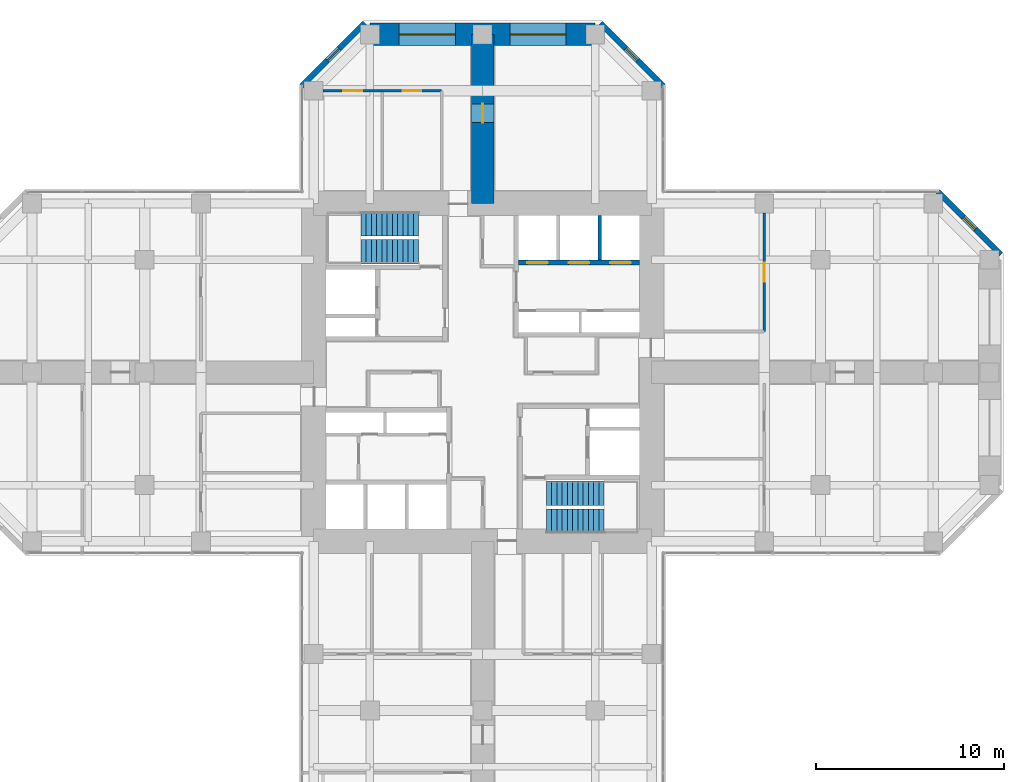
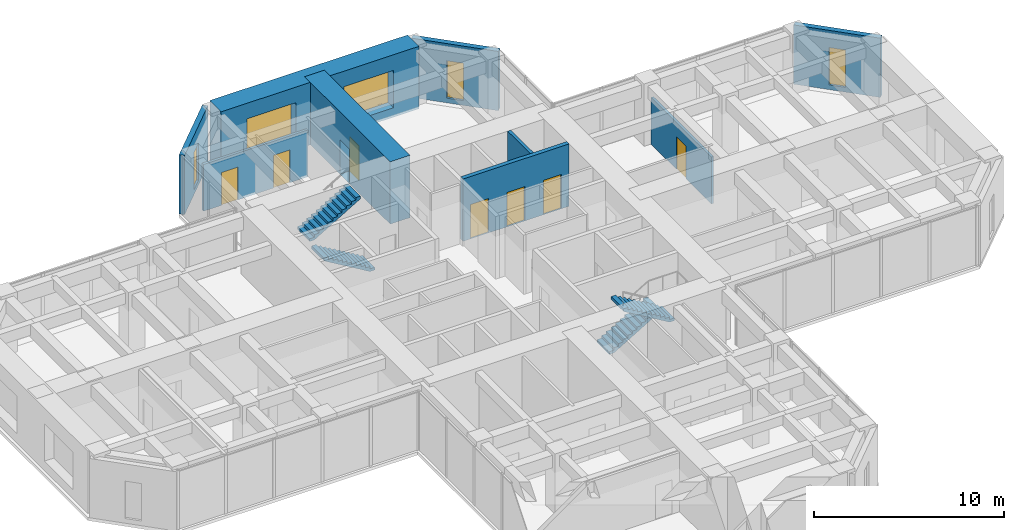
# One storey, part 11 of 12: 9 walls, 7 doors, 5 windows, 4 stair flights, 12 openings, 2 elements without a shape of their own.
"""IFC4 building model written with IfcOpenShell, lengths in metres."""

from ifc_helpers import new_model, si_unit, direction, frame, frame_2d, origin, place, context, subcontext, project, spatial, polyline, rectangle, hollow_rectangle, outline, extrude, material, layer, layer_set, constituent, constituent_set, type_object, element, fill, aggregate, save


model = new_model("IFC4")

# Units and contexts
model_context = context("Model", 3, precision=1e-05, world=origin(), true_north=direction((0.0, 1.0)))
body_context = subcontext(model_context, "Body", "Model", "MODEL_VIEW")
ifc_project = project(units=[si_unit("LENGTHUNIT", "METRE"), si_unit("AREAUNIT", "SQUARE_METRE"), si_unit("VOLUMEUNIT", "CUBIC_METRE"), si_unit("PLANEANGLEUNIT", "RADIAN"), si_unit("MASSUNIT", "GRAM", prefix="KILO")], contexts=[model_context])

# Site, building, storey
site_placement = place(None, origin())
site = spatial("IfcSite", under=ifc_project, at=site_placement, CompositionType="ELEMENT")
building_placement = place(site_placement, origin())
building = spatial("IfcBuilding", under=site, at=building_placement, Name="Torre Cruceta", CompositionType="ELEMENT")
storey_placement = place(building_placement, frame((0.0, 0.0, 136.5)))
storey = spatial("IfcBuildingStorey", under=building, at=storey_placement, Name="L33", CompositionType="ELEMENT", Elevation=136.5)

# Wall, openings, doors
ifc_material_1 = material(Name="Concrete G60 (fck 60 MPa)", Category="concrete")
ifc_layer_1 = layer(ifc_material_1, 0.25)
ifc_layer_set_1 = layer_set([ifc_layer_1], Name="Concrete G60 (fck 60 MPa)")
wall_type_1 = type_object("IfcWallType", Name="CORE INNER WALL 250 G60", PredefinedType="SHEAR", material=ifc_layer_set_1)
wall_1_placement = place(storey_placement, frame((1.925048828125, 5.85009765625, 0.0), z_axis=(0.0, 0.0, 1.0), x_axis=(1.0, 0.0, 0.0)))
wall_1 = element("IfcWall", 1, at=wall_1_placement, inside=storey, type_object=wall_type_1, Name="CW4 L33 NE-LV", PredefinedType="SHEAR", context=body_context, shape_type="SweptSolid", body=[
    extrude(rectangle(XDim=6.425048828125, YDim=0.25, at=frame_2d((3.21240234375, 0.0))), origin(), (0.0, 0.0, 1.0), 4.0),
])
opening_1_placement = place(wall_1_placement, frame((0.4541015625, 0.0, 0.0)))
opening_1 = element("IfcOpeningElement", 2, at=opening_1_placement, cuts=wall_1, Name="Opening LD1", PredefinedType="OPENING", context=body_context, shape_type="SweptSolid", body=[
    extrude(rectangle(XDim=1.10009765625, YDim=2.199951171875, at=frame_2d((0.550048828125, 1.10009765625))), frame((0.0, 0.135009765625, 0.0), z_axis=(0.0, -1.0, 0.0), x_axis=(1.0, 0.0, 0.0)), (0.0, 0.0, 1.0), 0.27001953125),
])
opening_2_placement = place(wall_1_placement, frame((2.66259765625, 0.0, 0.0)))
opening_2 = element("IfcOpeningElement", 3, at=opening_2_placement, cuts=wall_1, Name="Opening LD1", PredefinedType="OPENING", context=body_context, shape_type="SweptSolid", body=[
    extrude(rectangle(XDim=1.10009765625, YDim=2.199951171875, at=frame_2d((0.550048828125, 1.10009765625))), frame((0.0, 0.135009765625, 0.0), z_axis=(0.0, -1.0, 0.0), x_axis=(1.0, 0.0, 0.0)), (0.0, 0.0, 1.0), 0.27001953125),
])
opening_3_placement = place(wall_1_placement, frame((4.870849609375, 0.0, 0.0)))
opening_3 = element("IfcOpeningElement", 4, at=opening_3_placement, cuts=wall_1, Name="Opening LD1", PredefinedType="OPENING", context=body_context, shape_type="SweptSolid", body=[
    extrude(rectangle(XDim=1.10009765625, YDim=2.199951171875, at=frame_2d((0.550048828125, 1.10009765625))), frame((0.0, 0.135009765625, 0.0), z_axis=(0.0, -1.0, 0.0), x_axis=(1.0, 0.0, 0.0)), (0.0, 0.0, 1.0), 0.27001953125),
])
ifc_material_2 = material(Name="Stainless steel 1.4401", Category="steel")
door_type_1 = type_object("IfcDoorType", Name="LIFT LANDING DOOR 1100X2200", OperationType="DOUBLE_DOOR_SLIDING", PredefinedType="DOOR", material=ifc_material_2)
door_1_placement = place(opening_1_placement, origin())
door_1 = element("IfcDoor", 5, at=door_1_placement, inside=storey, type_object=door_type_1, Name="Lift landing door P1", OperationType="DOUBLE_DOOR_SLIDING", OverallHeight=2.199951171875, OverallWidth=1.10009765625, PredefinedType="DOOR", context=body_context, shape_type="SweptSolid", body=[
    extrude(rectangle(XDim=1.10009765625, YDim=2.199951171875, at=frame_2d((0.550048828125, 1.10009765625))), frame((0.0, 0.02490234375, 0.0), z_axis=(0.0, -1.0, 0.0), x_axis=(1.0, 0.0, 0.0)), (0.0, 0.0, 1.0), 0.050048828125),
])
fill(opening_1, door_1)
door_2_placement = place(opening_2_placement, origin())
door_2 = element("IfcDoor", 6, at=door_2_placement, inside=storey, type_object=door_type_1, Name="Lift landing door P2", OperationType="DOUBLE_DOOR_SLIDING", OverallHeight=2.199951171875, OverallWidth=1.10009765625, PredefinedType="DOOR", context=body_context, shape_type="SweptSolid", body=[
    extrude(rectangle(XDim=1.10009765625, YDim=2.199951171875, at=frame_2d((0.550048828125, 1.10009765625))), frame((0.0, 0.02490234375, 0.0), z_axis=(0.0, -1.0, 0.0), x_axis=(1.0, 0.0, 0.0)), (0.0, 0.0, 1.0), 0.050048828125),
])
fill(opening_2, door_2)
door_3_placement = place(opening_3_placement, origin())
door_3 = element("IfcDoor", 7, at=door_3_placement, inside=storey, type_object=door_type_1, Name="Lift landing door P3", OperationType="DOUBLE_DOOR_SLIDING", OverallHeight=2.199951171875, OverallWidth=1.10009765625, PredefinedType="DOOR", context=body_context, shape_type="SweptSolid", body=[
    extrude(rectangle(XDim=1.10009765625, YDim=2.199951171875, at=frame_2d((0.550048828125, 1.10009765625))), frame((0.0, 0.02490234375, 0.0), z_axis=(0.0, -1.0, 0.0), x_axis=(1.0, 0.0, 0.0)), (0.0, 0.0, 1.0), 0.050048828125),
])
fill(opening_3, door_3)

# Wall, opening, window
ifc_material_3 = material(Name="Concrete G30 (fck 30 MPa)", Category="concrete")
ifc_layer_2 = layer(ifc_material_3, 0.300048828125)
ifc_layer_set_2 = layer_set([ifc_layer_2], Name="Concrete G30 (fck 30 MPa)")
wall_type_2 = type_object("IfcWallType", Name="EXPOSED CONCRETE FACADE WALL 300", PredefinedType="SOLIDWALL", material=ifc_layer_set_2)
wall_2_placement = place(storey_placement, frame((27.60009765625, 6.27685546875, 0.0), z_axis=(0.0, 0.0, 1.0), x_axis=(-0.707106781187, 0.707106781187, 0.0)))
wall_2 = element("IfcWall", 8, at=wall_2_placement, inside=storey, type_object=wall_type_2, Name="EW1 facade wall L33 E chamfer 03", PredefinedType="SOLIDWALL", context=body_context, shape_type="SweptSolid", body=[
    extrude(rectangle(XDim=4.72802734375, YDim=0.300048828125, at=frame_2d((2.364013671875, 0.0))), origin(), (0.0, 0.0, 1.0), 3.800048828125),
])
opening_4_placement = place(wall_2_placement, frame((1.9140625, 0.0, 0.300048828125)))
opening_4 = element("IfcOpeningElement", 9, at=opening_4_placement, cuts=wall_2, Name="Opening WN5", PredefinedType="OPENING", context=body_context, shape_type="SweptSolid", body=[
    extrude(rectangle(XDim=0.89990234375, YDim=2.39990234375, at=frame_2d((0.449951171875, 1.199951171875))), frame((0.0, 0.159912109375, 0.0), z_axis=(0.0, -1.0, 0.0), x_axis=(1.0, 0.0, 0.0)), (0.0, 0.0, 1.0), 0.320068359375),
])
ifc_material_4 = material(Name="Aluminium window frame", Category="aluminium")
ifc_constituent_1 = constituent(ifc_material_4, Name="Frame")
ifc_material_5 = material(Name="Laminated insulating glass unit, low-iron clear", Category="glass")
ifc_constituent_2 = constituent(ifc_material_5, Name="Glazing")
ifc_constituent_set_1 = constituent_set(constituents=[ifc_constituent_1, ifc_constituent_2], Name="Aluminium window")
window_type_1 = type_object("IfcWindowType", Name="CHAMFER SLOT WINDOW 900X2400", PartitioningType="SINGLE_PANEL", PredefinedType="WINDOW", material=ifc_constituent_set_1)
window_1_placement = place(opening_4_placement, origin())
window_1 = element("IfcWindow", 10, at=window_1_placement, inside=storey, type_object=window_type_1, Name="WN5 L33 E 1", OverallHeight=2.39990234375, OverallWidth=0.89990234375, PartitioningType="SINGLE_PANEL", PredefinedType="WINDOW", context=body_context, shape_type="SweptSolid", body=[
    extrude(hollow_rectangle(XDim=0.89990234375, YDim=2.39990234375, WallThickness=0.06005859375, at=frame_2d((0.449951171875, 1.199951171875))), frame((0.0, 0.030029296875, 0.0), z_axis=(0.0, -1.0, 0.0), x_axis=(1.0, 0.0, 0.0)), (0.0, 0.0, 1.0), 0.06005859375),
    extrude(rectangle(XDim=0.77880859375, YDim=2.27880859375, at=frame_2d((0.449951171875, 1.199951171875))), frame((0.0, 0.030029296875, 0.0), z_axis=(0.0, -1.0, 0.0), x_axis=(1.0, 0.0, 0.0)), (0.0, 0.0, 1.0), 0.06005859375),
])
fill(opening_4, window_1)

wall_3_placement = place(storey_placement, frame((9.6201171875, 15.2568359375, 0.0), z_axis=(0.0, 0.0, 1.0), x_axis=(-0.707106781187, 0.707106781187, 0.0)))
wall_3 = element("IfcWall", 11, at=wall_3_placement, inside=storey, type_object=wall_type_2, Name="EW1 facade wall L33 N chamfer 06", PredefinedType="SOLIDWALL", context=body_context, shape_type="SweptSolid", body=[
    extrude(rectangle(XDim=4.72802734375, YDim=0.300048828125, at=frame_2d((2.364013671875, 0.0))), origin(), (0.0, 0.0, 1.0), 3.800048828125),
])
opening_5_placement = place(wall_3_placement, frame((1.9140625, 0.0, 0.300048828125)))
opening_5 = element("IfcOpeningElement", 12, at=opening_5_placement, cuts=wall_3, Name="Opening WN5", PredefinedType="OPENING", context=body_context, shape_type="SweptSolid", body=[
    extrude(rectangle(XDim=0.89990234375, YDim=2.39990234375, at=frame_2d((0.449951171875, 1.199951171875))), frame((0.0, 0.159912109375, 0.0), z_axis=(0.0, -1.0, 0.0), x_axis=(1.0, 0.0, 0.0)), (0.0, 0.0, 1.0), 0.320068359375),
])
window_2_placement = place(opening_5_placement, origin())
window_2 = element("IfcWindow", 13, at=window_2_placement, inside=storey, type_object=window_type_1, Name="WN5 L33 N 1", OverallHeight=2.39990234375, OverallWidth=0.89990234375, PartitioningType="SINGLE_PANEL", PredefinedType="WINDOW", context=body_context, shape_type="SweptSolid", body=[
    extrude(hollow_rectangle(XDim=0.89990234375, YDim=2.39990234375, WallThickness=0.06005859375, at=frame_2d((0.449951171875, 1.199951171875))), frame((0.0, 0.030029296875, 0.0), z_axis=(0.0, -1.0, 0.0), x_axis=(1.0, 0.0, 0.0)), (0.0, 0.0, 1.0), 0.06005859375),
    extrude(rectangle(XDim=0.77880859375, YDim=2.27880859375, at=frame_2d((0.449951171875, 1.199951171875))), frame((0.0, 0.030029296875, 0.0), z_axis=(0.0, -1.0, 0.0), x_axis=(1.0, 0.0, 0.0)), (0.0, 0.0, 1.0), 0.06005859375),
])
fill(opening_5, window_2)

wall_4_placement = place(storey_placement, frame((-6.27685546875, 18.60009765625, 0.0), z_axis=(0.0, 0.0, 1.0), x_axis=(-0.707106781187, -0.707106781187, 0.0)))
wall_4 = element("IfcWall", 14, at=wall_4_placement, inside=storey, type_object=wall_type_2, Name="EW1 facade wall L33 N chamfer 08", PredefinedType="SOLIDWALL", context=body_context, shape_type="SweptSolid", body=[
    extrude(rectangle(XDim=4.72802734375, YDim=0.300048828125, at=frame_2d((2.364013671875, 0.0))), origin(), (0.0, 0.0, 1.0), 3.800048828125),
])
opening_6_placement = place(wall_4_placement, frame((1.9140625, 0.0, 0.300048828125)))
opening_6 = element("IfcOpeningElement", 15, at=opening_6_placement, cuts=wall_4, Name="Opening WN5", PredefinedType="OPENING", context=body_context, shape_type="SweptSolid", body=[
    extrude(rectangle(XDim=0.89990234375, YDim=2.39990234375, at=frame_2d((0.449951171875, 1.199951171875))), frame((0.0, 0.159912109375, 0.0), z_axis=(0.0, -1.0, 0.0), x_axis=(1.0, 0.0, 0.0)), (0.0, 0.0, 1.0), 0.320068359375),
])
window_3_placement = place(opening_6_placement, origin())
window_3 = element("IfcWindow", 16, at=window_3_placement, inside=storey, type_object=window_type_1, Name="WN5 L33 N 1", OverallHeight=2.39990234375, OverallWidth=0.89990234375, PartitioningType="SINGLE_PANEL", PredefinedType="WINDOW", context=body_context, shape_type="SweptSolid", body=[
    extrude(hollow_rectangle(XDim=0.89990234375, YDim=2.39990234375, WallThickness=0.06005859375, at=frame_2d((0.449951171875, 1.199951171875))), frame((0.0, 0.030029296875, 0.0), z_axis=(0.0, -1.0, 0.0), x_axis=(1.0, 0.0, 0.0)), (0.0, 0.0, 1.0), 0.06005859375),
    extrude(rectangle(XDim=0.77880859375, YDim=2.27880859375, at=frame_2d((0.449951171875, 1.199951171875))), frame((0.0, 0.030029296875, 0.0), z_axis=(0.0, -1.0, 0.0), x_axis=(1.0, 0.0, 0.0)), (0.0, 0.0, 1.0), 0.06005859375),
])
fill(opening_6, window_3)

# Wall
ifc_material_6 = material(Name="Concrete G35 (fck 35 MPa)", Category="concrete")
ifc_layer_3 = layer(ifc_material_6, 0.199951171875)
ifc_layer_set_3 = layer_set([ifc_layer_3], Name="Concrete G35 (fck 35 MPa)")
wall_type_3 = type_object("IfcWallType", Name="LIFT SHAFT WALL 200", PredefinedType="PARTITIONING", material=ifc_layer_set_3)
wall_5_placement = place(storey_placement, frame((6.24169921875, 5.97509765625, 0.0), z_axis=(0.0, 0.0, 1.0), x_axis=(0.0, 1.0, 0.0)))
element("IfcWall", 17, at=wall_5_placement, inside=storey, type_object=wall_type_3, Name="SW1 L33 NE-LS2", PredefinedType="PARTITIONING", context=body_context, shape_type="SweptSolid", body=[
    extrude(rectangle(XDim=2.375, YDim=0.199951171875, at=frame_2d((1.1875, 0.0))), origin(), (0.0, 0.0, 1.0), 4.0),
])

# Wall, openings, windows
ifc_material_7 = material(Name="Concrete G60 (fck 60 MPa)", Category="concrete")
ifc_layer_4 = layer(ifc_material_7, 1.199951171875)
ifc_layer_set_4 = layer_set([ifc_layer_4], Name="Concrete G60 (fck 60 MPa)")
wall_type_4 = type_object("IfcWallType", Name="NOSE WALL 1200 G60", PredefinedType="SHEAR", material=ifc_layer_set_4)
wall_6_placement = place(storey_placement, frame((6.0, 18.0, 0.0), z_axis=(0.0, 0.0, 1.0), x_axis=(-1.0, 0.0, 0.0)))
wall_6 = element("IfcWall", 18, at=wall_6_placement, inside=storey, type_object=wall_type_4, Name="NW1 nose wall L33 N", PredefinedType="SHEAR", context=body_context, shape_type="SweptSolid", body=[
    extrude(rectangle(XDim=12.0, YDim=1.199951171875, at=frame_2d((6.0, 0.0))), origin(), (0.0, 0.0, 1.0), 4.0),
])
opening_7_placement = place(wall_6_placement, frame((1.550048828125, 0.0, 0.60009765625)))
opening_7 = element("IfcOpeningElement", 19, at=opening_7_placement, cuts=wall_6, Name="Opening WN6", PredefinedType="OPENING", context=body_context, shape_type="SweptSolid", body=[
    extrude(rectangle(XDim=3.0, YDim=2.39990234375, at=frame_2d((1.5, 1.199951171875))), frame((0.0, 0.60986328125, 0.0), z_axis=(0.0, -1.0, 0.0), x_axis=(1.0, 0.0, 0.0)), (0.0, 0.0, 1.0), 1.219970703125),
])
opening_8_placement = place(wall_6_placement, frame((7.449951171875, 0.0, 0.60009765625)))
opening_8 = element("IfcOpeningElement", 20, at=opening_8_placement, cuts=wall_6, Name="Opening WN6", PredefinedType="OPENING", context=body_context, shape_type="SweptSolid", body=[
    extrude(rectangle(XDim=3.0, YDim=2.39990234375, at=frame_2d((1.5, 1.199951171875))), frame((0.0, 0.60986328125, 0.0), z_axis=(0.0, -1.0, 0.0), x_axis=(1.0, 0.0, 0.0)), (0.0, 0.0, 1.0), 1.219970703125),
])
ifc_material_8 = material(Name="Aluminium window frame", Category="aluminium")
ifc_constituent_3 = constituent(ifc_material_8, Name="Frame")
ifc_material_9 = material(Name="Laminated insulating glass unit, low-iron clear", Category="glass")
ifc_constituent_4 = constituent(ifc_material_9, Name="Glazing")
ifc_constituent_set_2 = constituent_set(constituents=[ifc_constituent_3, ifc_constituent_4], Name="Aluminium window")
window_type_2 = type_object("IfcWindowType", Name="NOSE WALL WINDOW 3000X2400", PartitioningType="SINGLE_PANEL", PredefinedType="WINDOW", material=ifc_constituent_set_2)
window_4_placement = place(opening_7_placement, origin())
window_4 = element("IfcWindow", 21, at=window_4_placement, inside=storey, type_object=window_type_2, Name="WN6 L33 N 1", OverallHeight=2.39990234375, OverallWidth=3.0, PartitioningType="SINGLE_PANEL", PredefinedType="WINDOW", context=body_context, shape_type="SweptSolid", body=[
    extrude(hollow_rectangle(XDim=3.0, YDim=2.39990234375, WallThickness=0.06005859375, at=frame_2d((1.5, 1.199951171875))), frame((0.0, 0.030029296875, 0.0), z_axis=(0.0, -1.0, 0.0), x_axis=(1.0, 0.0, 0.0)), (0.0, 0.0, 1.0), 0.06005859375),
    extrude(rectangle(XDim=2.87890625, YDim=2.27880859375, at=frame_2d((1.5, 1.199951171875))), frame((0.0, 0.030029296875, 0.0), z_axis=(0.0, -1.0, 0.0), x_axis=(1.0, 0.0, 0.0)), (0.0, 0.0, 1.0), 0.06005859375),
])
fill(opening_7, window_4)
window_5_placement = place(opening_8_placement, origin())
window_5 = element("IfcWindow", 22, at=window_5_placement, inside=storey, type_object=window_type_2, Name="WN6 L33 N 2", OverallHeight=2.39990234375, OverallWidth=3.0, PartitioningType="SINGLE_PANEL", PredefinedType="WINDOW", context=body_context, shape_type="SweptSolid", body=[
    extrude(hollow_rectangle(XDim=3.0, YDim=2.39990234375, WallThickness=0.06005859375, at=frame_2d((1.5, 1.199951171875))), frame((0.0, 0.030029296875, 0.0), z_axis=(0.0, -1.0, 0.0), x_axis=(1.0, 0.0, 0.0)), (0.0, 0.0, 1.0), 0.06005859375),
    extrude(rectangle(XDim=2.87890625, YDim=2.27880859375, at=frame_2d((1.5, 1.199951171875))), frame((0.0, 0.030029296875, 0.0), z_axis=(0.0, -1.0, 0.0), x_axis=(1.0, 0.0, 0.0)), (0.0, 0.0, 1.0), 0.06005859375),
])
fill(opening_8, window_5)

# Wall, openings, doors
ifc_material_10 = material(Name="Plasterboard on steel studs", Category="steel")
ifc_layer_5 = layer(ifc_material_10, 0.14990234375)
ifc_layer_set_5 = layer_set([ifc_layer_5], Name="Plasterboard on steel studs")
wall_type_5 = type_object("IfcWallType", Name="PARTITION 150", PredefinedType="PARTITIONING", material=ifc_layer_set_5)
wall_7_placement = place(storey_placement, frame((-2.175048828125, 15.0, 0.0), z_axis=(0.0, 0.0, 1.0), x_axis=(-1.0, 0.0, 0.0)))
wall_7 = element("IfcWall", 23, at=wall_7_placement, inside=storey, type_object=wall_type_5, Name="PT1 L33-N-BFL", PredefinedType="PARTITIONING", context=body_context, shape_type="SweptSolid", body=[
    extrude(rectangle(XDim=6.324951171875, YDim=0.14990234375, at=frame_2d((3.16259765625, 0.0))), origin(), (0.0, 0.0, 1.0), 3.0),
])
opening_9_placement = place(wall_7_placement, frame((1.081298828125, 0.0, 0.0)))
opening_9 = element("IfcOpeningElement", 24, at=opening_9_placement, cuts=wall_7, Name="Opening D3", PredefinedType="OPENING", context=body_context, shape_type="SweptSolid", body=[
    extrude(rectangle(XDim=1.0, YDim=2.10009765625, at=frame_2d((0.5, 1.050048828125))), frame((0.0, 0.0849609375, 0.0), z_axis=(0.0, -1.0, 0.0), x_axis=(1.0, 0.0, 0.0)), (0.0, 0.0, 1.0), 0.169921875),
])
opening_10_placement = place(wall_7_placement, frame((4.243896484375, 0.0, 0.0)))
opening_10 = element("IfcOpeningElement", 25, at=opening_10_placement, cuts=wall_7, Name="Opening D3", PredefinedType="OPENING", context=body_context, shape_type="SweptSolid", body=[
    extrude(rectangle(XDim=1.0, YDim=2.10009765625, at=frame_2d((0.5, 1.050048828125))), frame((0.0, 0.0849609375, 0.0), z_axis=(0.0, -1.0, 0.0), x_axis=(1.0, 0.0, 0.0)), (0.0, 0.0, 1.0), 0.169921875),
])
ifc_material_11 = material(Name="Steel DX51D", Category="steel")
ifc_constituent_5 = constituent(ifc_material_11, Name="Leaf and frame")
ifc_material_12 = material(Name="Polyester powder coating", Category="paint")
ifc_constituent_6 = constituent(ifc_material_12, Name="Finish")
ifc_constituent_set_3 = constituent_set(constituents=[ifc_constituent_5, ifc_constituent_6], Name="Steel fire door")
door_type_2 = type_object("IfcDoorType", Name="FIRE DOOR 1000X2100", OperationType="SINGLE_SWING_LEFT", PredefinedType="DOOR", material=ifc_constituent_set_3)
door_4_placement = place(opening_9_placement, origin())
door_4 = element("IfcDoor", 26, at=door_4_placement, inside=storey, type_object=door_type_2, Name="D3 L33-N-BFL-D1", OperationType="SINGLE_SWING_LEFT", OverallHeight=2.10009765625, OverallWidth=1.0, PredefinedType="DOOR", context=body_context, shape_type="SweptSolid", body=[
    extrude(rectangle(XDim=1.0, YDim=2.10009765625, at=frame_2d((0.5, 1.050048828125))), frame((0.0, 0.02490234375, 0.0), z_axis=(0.0, -1.0, 0.0), x_axis=(1.0, 0.0, 0.0)), (0.0, 0.0, 1.0), 0.050048828125),
])
fill(opening_9, door_4)
door_5_placement = place(opening_10_placement, origin())
door_5 = element("IfcDoor", 27, at=door_5_placement, inside=storey, type_object=door_type_2, Name="D3 L33-N-BFL-D2", OperationType="SINGLE_SWING_LEFT", OverallHeight=2.10009765625, OverallWidth=1.0, PredefinedType="DOOR", context=body_context, shape_type="SweptSolid", body=[
    extrude(rectangle(XDim=1.0, YDim=2.10009765625, at=frame_2d((0.5, 1.050048828125))), frame((0.0, 0.02490234375, 0.0), z_axis=(0.0, -1.0, 0.0), x_axis=(1.0, 0.0, 0.0)), (0.0, 0.0, 1.0), 0.050048828125),
])
fill(opening_10, door_5)

# Wall, opening, door
wall_8_placement = place(storey_placement, frame((15.0, 2.175048828125, 0.0), z_axis=(0.0, 0.0, 1.0), x_axis=(0.0, 1.0, 0.0)))
wall_8 = element("IfcWall", 28, at=wall_8_placement, inside=storey, type_object=wall_type_5, Name="PT1 L33-E-BFL", PredefinedType="PARTITIONING", context=body_context, shape_type="SweptSolid", body=[
    extrude(rectangle(XDim=6.324951171875, YDim=0.14990234375, at=frame_2d((3.16259765625, 0.0))), origin(), (0.0, 0.0, 1.0), 3.0),
])
opening_11_placement = place(wall_8_placement, frame((2.66259765625, 0.0, 0.0)))
opening_11 = element("IfcOpeningElement", 29, at=opening_11_placement, cuts=wall_8, Name="Opening D3", PredefinedType="OPENING", context=body_context, shape_type="SweptSolid", body=[
    extrude(rectangle(XDim=1.0, YDim=2.10009765625, at=frame_2d((0.5, 1.050048828125))), frame((0.0, 0.0849609375, 0.0), z_axis=(0.0, -1.0, 0.0), x_axis=(1.0, 0.0, 0.0)), (0.0, 0.0, 1.0), 0.169921875),
])
door_6_placement = place(opening_11_placement, origin())
door_6 = element("IfcDoor", 30, at=door_6_placement, inside=storey, type_object=door_type_2, Name="D3 L33-E-BFL-D1", OperationType="SINGLE_SWING_LEFT", OverallHeight=2.10009765625, OverallWidth=1.0, PredefinedType="DOOR", context=body_context, shape_type="SweptSolid", body=[
    extrude(rectangle(XDim=1.0, YDim=2.10009765625, at=frame_2d((0.5, 1.050048828125))), frame((0.0, 0.02490234375, 0.0), z_axis=(0.0, -1.0, 0.0), x_axis=(1.0, 0.0, 0.0)), (0.0, 0.0, 1.0), 0.050048828125),
])
fill(opening_11, door_6)

ifc_material_13 = material(Name="Concrete G60 (fck 60 MPa)", Category="concrete")
ifc_layer_6 = layer(ifc_material_13, 1.199951171875)
ifc_layer_set_6 = layer_set([ifc_layer_6], Name="Concrete G60 (fck 60 MPa)")
wall_type_6 = type_object("IfcWallType", Name="SPINE WALL 1200 G60", PredefinedType="SHEAR", material=ifc_layer_set_6)
wall_9_placement = place(storey_placement, frame((0.0, 9.0, 0.0), z_axis=(0.0, 0.0, 1.0), x_axis=(0.0, 1.0, 0.0)))
wall_9 = element("IfcWall", 31, at=wall_9_placement, inside=storey, type_object=wall_type_6, Name="SW3 spine wall L33 N", PredefinedType="SHEAR", context=body_context, shape_type="SweptSolid", body=[
    extrude(rectangle(XDim=9.0, YDim=1.199951171875, at=frame_2d((4.5, 0.0))), origin(), (0.0, 0.0, 1.0), 4.0),
])
opening_12_placement = place(wall_9_placement, frame((4.300048828125, 0.0, 0.0)))
opening_12 = element("IfcOpeningElement", 32, at=opening_12_placement, cuts=wall_9, Name="Opening D14", PredefinedType="OPENING", context=body_context, shape_type="SweptSolid", body=[
    extrude(rectangle(XDim=1.0, YDim=2.199951171875, at=frame_2d((0.5, 1.10009765625))), frame((0.0, 0.60986328125, 0.0), z_axis=(0.0, -1.0, 0.0), x_axis=(1.0, 0.0, 0.0)), (0.0, 0.0, 1.0), 1.219970703125),
])
ifc_material_14 = material(Name="Steel DX51D", Category="steel")
ifc_constituent_7 = constituent(ifc_material_14, Name="Leaf and frame")
ifc_material_15 = material(Name="Polyester powder coating", Category="paint")
ifc_constituent_8 = constituent(ifc_material_15, Name="Finish")
ifc_material_16 = material(Name="Fire-resisting glass", Category="glass")
ifc_constituent_9 = constituent(ifc_material_16, Name="Vision panel")
ifc_constituent_set_4 = constituent_set(constituents=[ifc_constituent_7, ifc_constituent_8, ifc_constituent_9], Name="Steel fire door with vision panel")
door_type_3 = type_object("IfcDoorType", Name="FIRE DOOR VISION PANEL 1000X2200", OperationType="SINGLE_SWING_RIGHT", PredefinedType="DOOR", material=ifc_constituent_set_4)
door_7_placement = place(opening_12_placement, origin())
door_7 = element("IfcDoor", 33, at=door_7_placement, inside=storey, type_object=door_type_3, Name="D14 L33-N-SP1", OperationType="SINGLE_SWING_RIGHT", OverallHeight=2.199951171875, OverallWidth=1.0, PredefinedType="DOOR", context=body_context, shape_type="SweptSolid", body=[
    extrude(rectangle(XDim=1.0, YDim=2.199951171875, at=frame_2d((0.5, 1.10009765625))), frame((0.0, 0.02490234375, 0.0), z_axis=(0.0, -1.0, 0.0), x_axis=(1.0, 0.0, 0.0)), (0.0, 0.0, 1.0), 0.050048828125),
])
fill(opening_12, door_7)

# Stair, stair flights
ifc_material_17 = material(Name="Concrete G30 (fck 30 MPa)", Category="concrete")
stair_type = type_object("IfcStairType", Name="STAIR HALF-TURN 1300", PredefinedType="HALF_TURN_STAIR", material=ifc_material_17)
stair_1_placement = place(storey_placement, origin())
stair_1 = element("IfcStair", 34, at=stair_1_placement, inside=storey, type_object=stair_type, Name="Stair ST1 L33", PredefinedType="HALF_TURN_STAIR")
ifc_material_18 = material(Name="Concrete G30 (fck 30 MPa)", Category="concrete")
stair_flight_type = type_object("IfcStairFlightType", Name="STAIR FLIGHT 1300", PredefinedType="STRAIGHT", material=ifc_material_18)
stair_flight_1_placement = place(storey_placement, frame((-3.39990234375, 6.425048828125, 0.0), z_axis=(0.0, 0.0, 1.0), x_axis=(-1.0, 0.0, 0.0)))
stair_flight_1 = element("IfcStairFlight", 35, at=stair_flight_1_placement, type_object=stair_flight_type, Name="ST1 flight 1", NumberOfRisers=12, NumberOfTreads=11, PredefinedType="STRAIGHT", RiserHeight=0.166666667, TreadLength=0.28, context=body_context, shape_type="SweptSolid", body=[
    extrude(outline(polyline([(0.0, 0.0), (0.0, 0.166748046875), (0.280029296875, 0.166748046875), (0.280029296875, 0.333251953125), (0.56005859375, 0.333251953125), (0.56005859375, 0.5), (0.840087890625, 0.5), (0.840087890625, 0.666748046875), (1.1201171875, 0.666748046875), (1.1201171875, 0.833251953125), (1.39990234375, 0.833251953125), (1.39990234375, 1.0), (1.679931640625, 1.0), (1.679931640625, 1.166748046875), (1.9599609375, 1.166748046875), (1.9599609375, 1.333251953125), (2.239990234375, 1.333251953125), (2.239990234375, 1.5), (2.52001953125, 1.5), (2.52001953125, 1.666748046875), (2.800048828125, 1.666748046875), (2.800048828125, 1.833251953125), (3.080078125, 1.833251953125), (3.080078125, 2.0), (3.080078125, 1.658935546875), (0.29296875, 0.0), (0.0, 0.0)])), frame((0.0, 0.64990234375, 0.0), z_axis=(0.0, -1.0, 0.0), x_axis=(1.0, 0.0, 0.0)), (0.0, 0.0, 1.0), 1.300048828125),
])
stair_flight_2_placement = place(storey_placement, frame((-6.47998046875, 7.925048828125, 2.0), z_axis=(0.0, 0.0, 1.0), x_axis=(1.0, 0.0, 0.0)))
stair_flight_2 = element("IfcStairFlight", 36, at=stair_flight_2_placement, type_object=stair_flight_type, Name="ST1 flight 2", NumberOfRisers=12, NumberOfTreads=11, PredefinedType="STRAIGHT", RiserHeight=0.166666667, TreadLength=0.28, context=body_context, shape_type="SweptSolid", body=[
    extrude(outline(polyline([(0.0, 0.0), (0.0, 0.166748046875), (0.280029296875, 0.166748046875), (0.280029296875, 0.333251953125), (0.56005859375, 0.333251953125), (0.56005859375, 0.5), (0.840087890625, 0.5), (0.840087890625, 0.666748046875), (1.1201171875, 0.666748046875), (1.1201171875, 0.833251953125), (1.39990234375, 0.833251953125), (1.39990234375, 1.0), (1.679931640625, 1.0), (1.679931640625, 1.166748046875), (1.9599609375, 1.166748046875), (1.9599609375, 1.333251953125), (2.239990234375, 1.333251953125), (2.239990234375, 1.5), (2.52001953125, 1.5), (2.52001953125, 1.666748046875), (2.800048828125, 1.666748046875), (2.800048828125, 1.833251953125), (3.080078125, 1.833251953125), (3.080078125, 2.0), (3.080078125, 1.658935546875), (0.29296875, 0.0), (0.0, 0.0)])), frame((0.0, 0.64990234375, 0.0), z_axis=(0.0, -1.0, 0.0), x_axis=(1.0, 0.0, 0.0)), (0.0, 0.0, 1.0), 1.300048828125),
])
aggregate(stair_1, [stair_flight_1, stair_flight_2])

stair_2_placement = place(storey_placement, origin())
stair_2 = element("IfcStair", 37, at=stair_2_placement, inside=storey, type_object=stair_type, Name="Stair ST2 L33", PredefinedType="HALF_TURN_STAIR")
stair_flight_3_placement = place(storey_placement, frame((3.39990234375, -6.425048828125, 0.0), z_axis=(0.0, 0.0, 1.0), x_axis=(1.0, 0.0, 0.0)))
stair_flight_3 = element("IfcStairFlight", 38, at=stair_flight_3_placement, type_object=stair_flight_type, Name="ST2 flight 1", NumberOfRisers=12, NumberOfTreads=11, PredefinedType="STRAIGHT", RiserHeight=0.166666667, TreadLength=0.28, context=body_context, shape_type="SweptSolid", body=[
    extrude(outline(polyline([(0.0, 0.0), (0.0, 0.166748046875), (0.280029296875, 0.166748046875), (0.280029296875, 0.333251953125), (0.56005859375, 0.333251953125), (0.56005859375, 0.5), (0.840087890625, 0.5), (0.840087890625, 0.666748046875), (1.1201171875, 0.666748046875), (1.1201171875, 0.833251953125), (1.39990234375, 0.833251953125), (1.39990234375, 1.0), (1.679931640625, 1.0), (1.679931640625, 1.166748046875), (1.9599609375, 1.166748046875), (1.9599609375, 1.333251953125), (2.239990234375, 1.333251953125), (2.239990234375, 1.5), (2.52001953125, 1.5), (2.52001953125, 1.666748046875), (2.800048828125, 1.666748046875), (2.800048828125, 1.833251953125), (3.080078125, 1.833251953125), (3.080078125, 2.0), (3.080078125, 1.658935546875), (0.29296875, 0.0), (0.0, 0.0)])), frame((0.0, 0.64990234375, 0.0), z_axis=(0.0, -1.0, 0.0), x_axis=(1.0, 0.0, 0.0)), (0.0, 0.0, 1.0), 1.300048828125),
])
stair_flight_4_placement = place(storey_placement, frame((6.47998046875, -7.925048828125, 2.0), z_axis=(0.0, 0.0, 1.0), x_axis=(-1.0, 0.0, 0.0)))
stair_flight_4 = element("IfcStairFlight", 39, at=stair_flight_4_placement, type_object=stair_flight_type, Name="ST2 flight 2", NumberOfRisers=12, NumberOfTreads=11, PredefinedType="STRAIGHT", RiserHeight=0.166666667, TreadLength=0.28, context=body_context, shape_type="SweptSolid", body=[
    extrude(outline(polyline([(0.0, 0.0), (0.0, 0.166748046875), (0.280029296875, 0.166748046875), (0.280029296875, 0.333251953125), (0.56005859375, 0.333251953125), (0.56005859375, 0.5), (0.840087890625, 0.5), (0.840087890625, 0.666748046875), (1.1201171875, 0.666748046875), (1.1201171875, 0.833251953125), (1.39990234375, 0.833251953125), (1.39990234375, 1.0), (1.679931640625, 1.0), (1.679931640625, 1.166748046875), (1.9599609375, 1.166748046875), (1.9599609375, 1.333251953125), (2.239990234375, 1.333251953125), (2.239990234375, 1.5), (2.52001953125, 1.5), (2.52001953125, 1.666748046875), (2.800048828125, 1.666748046875), (2.800048828125, 1.833251953125), (3.080078125, 1.833251953125), (3.080078125, 2.0), (3.080078125, 1.658935546875), (0.29296875, 0.0), (0.0, 0.0)])), frame((0.0, 0.64990234375, 0.0), z_axis=(0.0, -1.0, 0.0), x_axis=(1.0, 0.0, 0.0)), (0.0, 0.0, 1.0), 1.300048828125),
])
aggregate(stair_2, [stair_flight_3, stair_flight_4])

save(model, "model.ifc")
